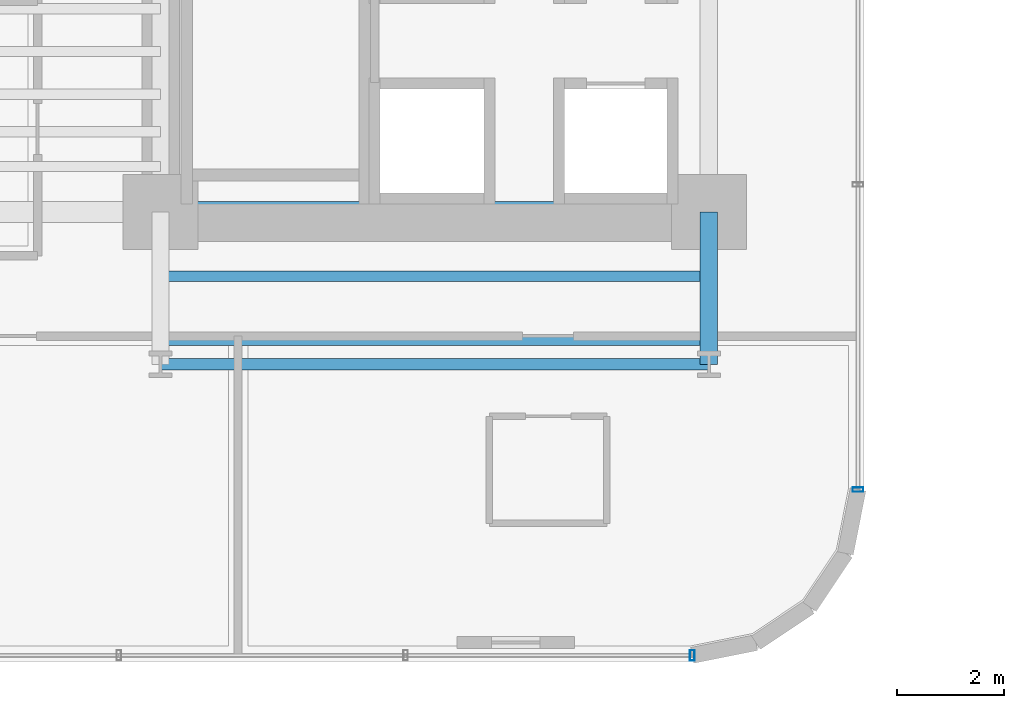
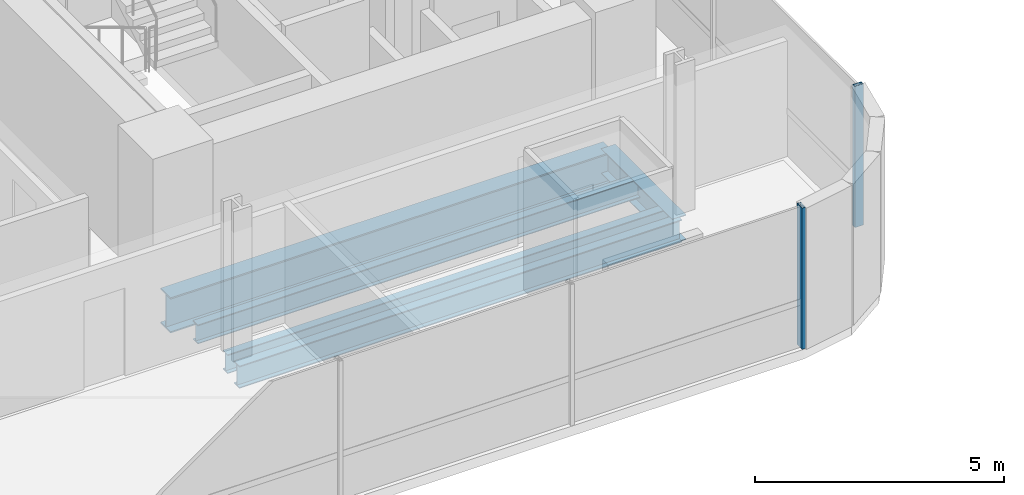
# One storey, part 5 of 42: 5 beams, 2 members, 2 elements without a shape of their own.
"""IFC4 building model written with IfcOpenShell, lengths in metres."""

from ifc_helpers import new_model, si_unit, direction, frame, origin, origin_2d, place, context, subcontext, project, spatial, hollow_rectangle, i_section, extrude, source, transform, mapped, material, material_profile, profile_set, type_object, element, aggregate, save


model = new_model("IFC4")

# Units and contexts
model_context = context("Model", 3, precision=1e-05, world=origin(), true_north=direction((0.0, 1.0)))
body_context = subcontext(model_context, "Body", "Model", "MODEL_VIEW")
ifc_project = project(units=[si_unit("LENGTHUNIT", "METRE"), si_unit("AREAUNIT", "SQUARE_METRE"), si_unit("VOLUMEUNIT", "CUBIC_METRE"), si_unit("PLANEANGLEUNIT", "RADIAN"), si_unit("MASSUNIT", "GRAM", prefix="KILO")], contexts=[model_context])

# Site, building, storey
site_placement = place(None, origin())
site = spatial("IfcSite", under=ifc_project, at=site_placement, CompositionType="ELEMENT")
building_placement = place(site_placement, origin())
building = spatial("IfcBuilding", under=site, at=building_placement, Name="Valdorenza Pilgrim Sanctuary Tower", CompositionType="ELEMENT")
storey_placement = place(building_placement, frame((0.0, 0.0, 29.699951171875)))
storey = spatial("IfcBuildingStorey", under=building, at=storey_placement, Name="L06", CompositionType="ELEMENT", Elevation=29.699951171875)

# Beams
ifc_material_1 = material(Name="Steel ASTM A992 Grade 50", Category="steel")
ifc_material_profile_1 = material_profile(ifc_material_1, i_section(OverallWidth=0.214111328125, OverallDepth=0.549072265625, WebThickness=0.0146484375, FlangeThickness=0.023681640625, at=origin_2d()), Name="W21X93")
ifc_profile_set_1 = profile_set([ifc_material_profile_1], Name="Steel ASTM A992 Grade 50")
beam_type_1 = type_object("IfcBeamType", Name="STR-BM-SPN-W21A", PredefinedType="SPANDREL", material=ifc_profile_set_1)
shared_shape_1 = source(origin(), body_context, "Body", "SweptSolid", [
    extrude(i_section(OverallWidth=0.214111328125, OverallDepth=0.549072265625, WebThickness=0.0146484375, FlangeThickness=0.023681640625, at=origin_2d()), origin(), (0.0, 0.0, 1.0), 10.25),
])
beam_1_placement = place(storey_placement, frame((-22.64990234375, -13.449951171875, -0.514404296875), z_axis=(1.0, 0.0, 0.0), x_axis=(0.0, 1.0, 0.0)))
element("IfcBeam", 1, at=beam_1_placement, inside=storey, type_object=beam_type_1, Name="L06 South Spandrel WA-S-TIE", PredefinedType="SPANDREL", context=body_context, shape_type="MappedRepresentation", body=[
    mapped(shared_shape_1, transform((0.0, 0.0, 0.0), x_axis=(1.0, 0.0, 0.0), y_axis=(0.0, 1.0, 0.0), z_axis=(0.0, 0.0, 1.0), scale=1.0)),
])
ifc_material_profile_2 = material_profile(ifc_material_1, i_section(OverallWidth=0.323974609375, OverallDepth=0.611083984375, WebThickness=0.0126953125, FlangeThickness=0.01904296875, at=origin_2d()), Name="W24X104")
ifc_profile_set_2 = profile_set([ifc_material_profile_2], Name="Steel ASTM A992 Grade 50")
beam_type_2 = type_object("IfcBeamType", Name="STR-BM-GRD-W24B", PredefinedType="BEAM", material=ifc_profile_set_2)
shared_shape_2 = source(origin(), body_context, "Body", "SweptSolid", [
    extrude(i_section(OverallWidth=0.323974609375, OverallDepth=0.611083984375, WebThickness=0.0126953125, FlangeThickness=0.01904296875, at=origin_2d()), origin(), (0.0, 0.0, 1.0), 2.849853515625),
])
beam_2_placement = place(storey_placement, frame((-12.39990234375, -13.449951171875, -0.54541015625), z_axis=(0.0, 1.0, 0.0), x_axis=(-1.0, 0.0, 0.0)))
element("IfcBeam", 2, at=beam_2_placement, inside=storey, type_object=beam_type_2, Name="L06 Floor Girder WA-S-LE", PredefinedType="BEAM", context=body_context, shape_type="MappedRepresentation", body=[
    mapped(shared_shape_2, transform((0.0, 0.0, 0.0), x_axis=(1.0, 0.0, 0.0), y_axis=(0.0, 1.0, 0.0), z_axis=(0.0, 0.0, 1.0), scale=1.0)),
])
ifc_material_profile_3 = material_profile(ifc_material_1, i_section(OverallWidth=0.193115234375, OverallDepth=0.466064453125, WebThickness=0.011474609375, FlangeThickness=0.01904296875, at=origin_2d()), Name="W18X65")
ifc_profile_set_3 = profile_set([ifc_material_profile_3], Name="Steel ASTM A992 Grade 50")
beam_type_3 = type_object("IfcBeamType", Name="STR-BM-JST-W18A", PredefinedType="JOIST", material=ifc_profile_set_3)
shared_shape_3 = source(origin(), body_context, "Body", "SweptSolid", [
    extrude(i_section(OverallWidth=0.193115234375, OverallDepth=0.466064453125, WebThickness=0.011474609375, FlangeThickness=0.01904296875, at=origin_2d()), origin(), (0.0, 0.0, 1.0), 10.25),
])
for number, where, z_axis, x_axis, name in (
    (3, (-22.64990234375, -13.0, -0.472900390625), (1.0, 0.0, 0.0), (0.0, 1.0, 0.0), "L06 Composite Floor Joist JST-WAS-1"),
    (4, (-22.64990234375, -11.800048828125, -0.472900390625), (1.0, 0.0, 0.0), (0.0, 1.0, 0.0), "L06 Composite Floor Joist JST-WAS-2"),
):
    element("IfcBeam", number, at=place(storey_placement, frame(where, z_axis=z_axis, x_axis=x_axis)), inside=storey, type_object=beam_type_3, Name=name, PredefinedType="JOIST", context=body_context, shape_type="MappedRepresentation", body=[
        mapped(shared_shape_3, transform((0.0, 0.0, 0.0), x_axis=(1.0, 0.0, 0.0), y_axis=(0.0, 1.0, 0.0), z_axis=(0.0, 0.0, 1.0), scale=1.0)),
    ])
ifc_material_profile_4 = material_profile(ifc_material_1, i_section(OverallWidth=0.39990234375, OverallDepth=0.862060546875, WebThickness=0.019775390625, FlangeThickness=0.032470703125, at=origin_2d()), Name="W33X221")
ifc_profile_set_4 = profile_set([ifc_material_profile_4], Name="Steel ASTM A992 Grade 50")
beam_type_4 = type_object("IfcBeamType", Name="STR-BM-GRD-W33", PredefinedType="BEAM", material=ifc_profile_set_4)
shared_shape_4 = source(origin(), body_context, "Body", "SweptSolid", [
    extrude(i_section(OverallWidth=0.39990234375, OverallDepth=0.862060546875, WebThickness=0.019775390625, FlangeThickness=0.032470703125, at=origin_2d()), origin(), (0.0, 0.0, 1.0), 10.25),
])
beam_3_placement = place(storey_placement, frame((-22.64990234375, -10.60009765625, -0.6708984375), z_axis=(1.0, 0.0, 0.0), x_axis=(0.0, 1.0, 0.0)))
element("IfcBeam", 5, at=beam_3_placement, inside=storey, type_object=beam_type_4, Name="L06 Floor Girder CA-XC-S1", PredefinedType="BEAM", context=body_context, shape_type="MappedRepresentation", body=[
    mapped(shared_shape_4, transform((0.0, 0.0, 0.0), x_axis=(1.0, 0.0, 0.0), y_axis=(0.0, 1.0, 0.0), z_axis=(0.0, 0.0, 1.0), scale=1.0)),
])

# Curtain wall, member
ifc_material_2 = material(Name="Curtain-wall IGU glazing", Category="glass")
curtain_wall_type = type_object("IfcCurtainWallType", Name="CW-SYS-02", PredefinedType="NOTDEFINED", material=ifc_material_2)
curtain_wall_1_placement = place(storey_placement, origin())
curtain_wall_1 = element("IfcCurtainWall", 6, at=curtain_wall_1_placement, inside=storey, type_object=curtain_wall_type, Name="L06 Curtain Wall CW-L06-1-41", PredefinedType="NOTDEFINED")
ifc_material_3 = material(Name="Anodised aluminium AW-6060", Category="aluminium")
ifc_material_profile_5 = material_profile(ifc_material_3, hollow_rectangle(XDim=0.0849609375, YDim=0.199951171875, WallThickness=0.0048828125, at=origin_2d()), Name="ALU-M 200x85x5")
ifc_profile_set_5 = profile_set([ifc_material_profile_5], Name="Anodised aluminium AW-6060")
member_type = type_object("IfcMemberType", Name="CW-MUL-02", PredefinedType="MULLION", material=ifc_profile_set_5)
shared_shape_5 = source(origin(), body_context, "Body", "SweptSolid", [
    extrude(hollow_rectangle(XDim=0.0849609375, YDim=0.199951171875, WallThickness=0.0048828125, at=origin_2d()), origin(), (0.0, 0.0, 1.0), 3.4599609375),
])
member_1_placement = place(storey_placement, frame((-9.610107421875, -15.789306640625, 0.0), z_axis=(0.0, 0.0, 1.0), x_axis=(0.0, -1.0, 0.0)))
member_1 = element("IfcMember", 7, at=member_1_placement, type_object=member_type, Name="CW-L06-1-41 Mullion 5", PredefinedType="MULLION", context=body_context, shape_type="MappedRepresentation", body=[
    mapped(shared_shape_5, transform((0.0, 0.0, 0.0), x_axis=(1.0, 0.0, 0.0), y_axis=(0.0, 1.0, 0.0), z_axis=(0.0, 0.0, 1.0), scale=1.0)),
])
aggregate(curtain_wall_1, [member_1])

curtain_wall_2_placement = place(storey_placement, origin())
curtain_wall_2 = element("IfcCurtainWall", 8, at=curtain_wall_2_placement, inside=storey, type_object=curtain_wall_type, Name="L06 Curtain Wall CW-L06-1-46", PredefinedType="NOTDEFINED")
member_2_placement = place(storey_placement, frame((-12.710693359375, -18.889892578125, 0.0), z_axis=(0.0, 0.0, 1.0), x_axis=(-1.0, 0.0, 0.0)))
member_2 = element("IfcMember", 9, at=member_2_placement, type_object=member_type, Name="CW-L06-1-46 Mullion 1", PredefinedType="MULLION", context=body_context, shape_type="MappedRepresentation", body=[
    mapped(shared_shape_5, transform((0.0, 0.0, 0.0), x_axis=(1.0, 0.0, 0.0), y_axis=(0.0, 1.0, 0.0), z_axis=(0.0, 0.0, 1.0), scale=1.0)),
])
aggregate(curtain_wall_2, [member_2])

save(model, "model.ifc")
